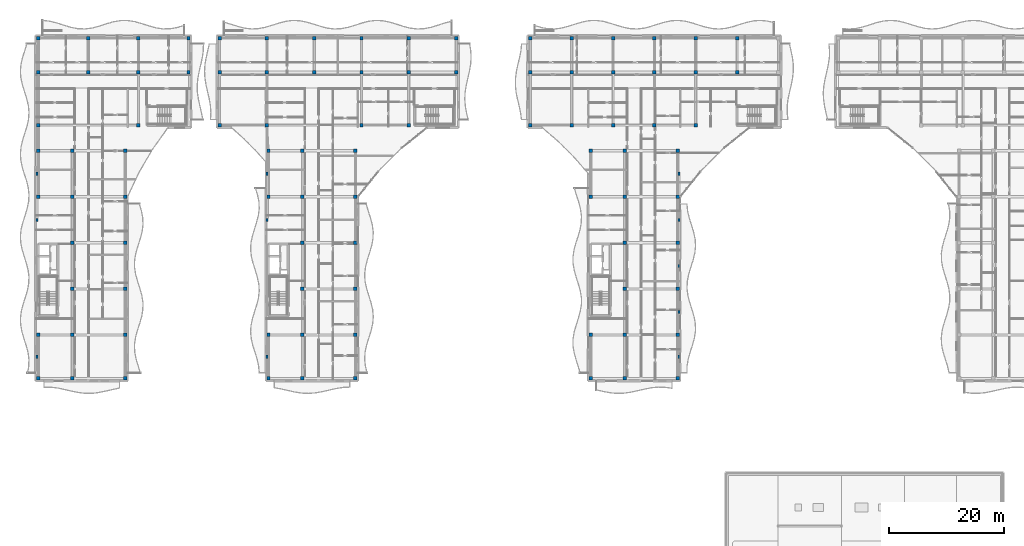
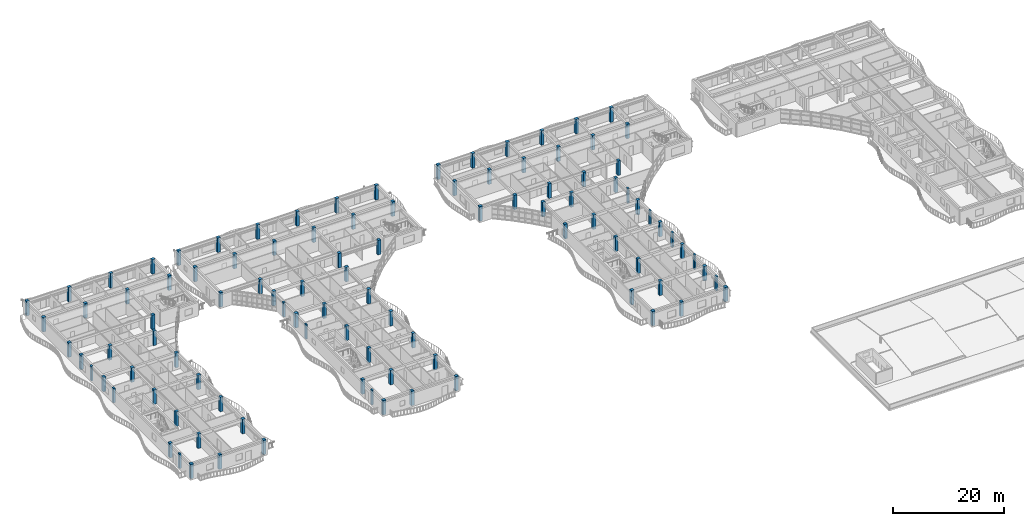
# One storey, part 1 of 79: 102 columns.
"""IFC4 building model written with IfcOpenShell, lengths in metres."""

from ifc_helpers import new_model, si_unit, direction, frame, origin, origin_2d, place, context, subcontext, project, spatial, rectangle, extrude, material, material_profile, profile_set, type_object, element, save


model = new_model("IFC4")

# Units and contexts
model_context = context("Model", 3, precision=1e-05, world=origin(), true_north=direction((0.0, 1.0)))
body_context = subcontext(model_context, "Body", "Model", "MODEL_VIEW")
ifc_project = project(units=[si_unit("LENGTHUNIT", "METRE"), si_unit("AREAUNIT", "SQUARE_METRE"), si_unit("VOLUMEUNIT", "CUBIC_METRE"), si_unit("PLANEANGLEUNIT", "RADIAN"), si_unit("MASSUNIT", "GRAM", prefix="KILO")], contexts=[model_context])

# Site, building, storey
site_placement = place(None, origin())
site = spatial("IfcSite", under=ifc_project, at=site_placement, CompositionType="ELEMENT")
building_placement = place(site_placement, origin())
building = spatial("IfcBuilding", under=site, at=building_placement, Name="Keldmere Railside Commons", CompositionType="ELEMENT")
storey_placement = place(building_placement, frame((0.0, 0.0, 10.56005859375)))
storey = spatial("IfcBuildingStorey", under=building, at=storey_placement, Name="L03", CompositionType="ELEMENT", Elevation=10.56005859375)

# Columns
ifc_material_1 = material(Name="Architectural Precast Concrete H-35 (C35/45)", Category="concrete")
ifc_material_profile_1 = material_profile(ifc_material_1, rectangle(XDim=0.35009765625, YDim=0.550048828125, at=origin_2d()), Name="RC-350x550")
ifc_profile_set_1 = profile_set([ifc_material_profile_1], Name="Architectural Precast Concrete H-35 (C35/45)")
column_type_1 = type_object("IfcColumnType", Name="Facade Precast Pilaster Column 350x550", PredefinedType="PILASTER", material=ifc_profile_set_1)
for number, where, z_axis, x_axis, name in (
    (1, (8.219970703125, 60.199951171875, 0.0), (0.0, 0.0, 1.0), (1.0, 0.0, 0.0), "C-PIL COL-L03-0013"),
    (2, (8.219970703125, 84.0, 0.0), (0.0, 0.0, 1.0), (1.0, 0.0, 0.0), "C-PIL COL-L03-0018"),
    (3, (8.219970703125, 92.0, 0.0), (0.0, 0.0, 1.0), (1.0, 0.0, 0.0), "C-PIL COL-L03-0023"),
    (4, (48.219970703125, 60.199951171875, 0.0), (0.0, 0.0, 1.0), (1.0, 0.0, 0.0), "C-PIL COL-L03-0420"),
    (5, (48.219970703125, 84.0, 0.0), (0.0, 0.0, 1.0), (1.0, 0.0, 0.0), "C-PIL COL-L03-0425"),
    (6, (48.219970703125, 92.0, 0.0), (0.0, 0.0, 1.0), (1.0, 0.0, 0.0), "C-PIL COL-L03-0430"),
    (7, (119.780029296875, 60.199951171875, 0.0), (0.0, 0.0, 1.0), (1.0, 0.0, 0.0), "C-PIL COL-L03-1208"),
    (8, (119.780029296875, 68.0, 0.0), (0.0, 0.0, 1.0), (1.0, 0.0, 0.0), "C-PIL COL-L03-1213"),
    (9, (119.780029296875, 76.0, 0.0), (0.0, 0.0, 1.0), (1.0, 0.0, 0.0), "C-PIL COL-L03-1218"),
    (10, (119.780029296875, 84.0, 0.0), (0.0, 0.0, 1.0), (1.0, 0.0, 0.0), "C-PIL COL-L03-1223"),
    (11, (119.780029296875, 92.0, 0.0), (0.0, 0.0, 1.0), (1.0, 0.0, 0.0), "C-PIL COL-L03-1228"),
):
    element("IfcColumn", number, at=place(storey_placement, frame(where, z_axis=z_axis, x_axis=x_axis)), inside=storey, type_object=column_type_1, Name=name, PredefinedType="PILASTER", context=body_context, shape_type="SweptSolid", body=[
        extrude(rectangle(XDim=0.35009765625, YDim=0.550048828125, at=origin_2d()), origin(), (0.0, 0.0, 1.0), 3.199951171875),
    ])
ifc_material_2 = material(Name="Concrete H-35 (C35/45)", Category="concrete")
ifc_material_profile_2 = material_profile(ifc_material_2, rectangle(XDim=0.60009765625, YDim=0.60009765625, at=origin_2d()), Name="RC-600x600")
ifc_profile_set_2 = profile_set([ifc_material_profile_2], Name="Concrete H-35 (C35/45)")
column_type_2 = type_object("IfcColumnType", Name="Mid-Rise RC Column 600x600", PredefinedType="COLUMN", material=ifc_profile_set_2)
for number, where, z_axis, x_axis, name in (
    (12, (8.449951171875, 56.449951171875, 0.0), (0.0, 0.0, 1.0), (1.0, 0.0, 0.0), "C-600 COL-L03-0043"),
    (13, (8.449951171875, 64.0, 0.0), (0.0, 0.0, 1.0), (1.0, 0.0, 0.0), "C-600 COL-L03-0049"),
    (14, (8.449951171875, 88.0, 0.0), (0.0, 0.0, 1.0), (1.0, 0.0, 0.0), "C-600 COL-L03-0057"),
    (15, (8.449951171875, 96.0, 0.0), (0.0, 0.0, 1.0), (1.0, 0.0, 0.0), "C-600 COL-L03-0066"),
    (16, (8.449951171875, 100.449951171875, 0.0), (0.0, 0.0, 1.0), (1.0, 0.0, 0.0), "C-600 COL-L03-0075"),
    (17, (8.449951171875, 109.64990234375, 0.0), (0.0, 0.0, 1.0), (1.0, 0.0, 0.0), "C-600 COL-L03-0085"),
    (18, (8.449951171875, 115.550048828125, 0.0), (0.0, 0.0, 1.0), (1.0, 0.0, 0.0), "C-600 COL-L03-0094"),
    (19, (14.35009765625, 56.449951171875, 0.0), (0.0, 0.0, 1.0), (1.0, 0.0, 0.0), "C-600 COL-L03-0101"),
    (20, (14.35009765625, 64.0, 0.0), (0.0, 0.0, 1.0), (1.0, 0.0, 0.0), "C-600 COL-L03-0107"),
    (21, (14.35009765625, 72.0, 0.0), (0.0, 0.0, 1.0), (1.0, 0.0, 0.0), "C-600 COL-L03-0115"),
    (22, (14.35009765625, 80.0, 0.0), (0.0, 0.0, 1.0), (1.0, 0.0, 0.0), "C-600 COL-L03-0124"),
    (23, (14.35009765625, 88.0, 0.0), (0.0, 0.0, 1.0), (1.0, 0.0, 0.0), "C-600 COL-L03-0133"),
    (24, (14.35009765625, 96.0, 0.0), (0.0, 0.0, 1.0), (1.0, 0.0, 0.0), "C-600 COL-L03-0142"),
    (25, (17.14990234375, 109.64990234375, 0.0), (0.0, 0.0, 1.0), (1.0, 0.0, 0.0), "C-600 COL-L03-0169"),
    (26, (17.14990234375, 115.550048828125, 0.0), (0.0, 0.0, 1.0), (1.0, 0.0, 0.0), "C-600 COL-L03-0178"),
    (27, (23.550048828125, 56.449951171875, 0.0), (0.0, 0.0, 1.0), (1.0, 0.0, 0.0), "C-600 COL-L03-0188"),
    (28, (23.550048828125, 64.0, 0.0), (0.0, 0.0, 1.0), (1.0, 0.0, 0.0), "C-600 COL-L03-0194"),
    (29, (23.550048828125, 72.0, 0.0), (0.0, 0.0, 1.0), (1.0, 0.0, 0.0), "C-600 COL-L03-0202"),
    (30, (23.550048828125, 80.0, 0.0), (0.0, 0.0, 1.0), (1.0, 0.0, 0.0), "C-600 COL-L03-0211"),
    (31, (23.550048828125, 88.0, 0.0), (0.0, 0.0, 1.0), (1.0, 0.0, 0.0), "C-600 COL-L03-0220"),
    (32, (23.550048828125, 96.0, 0.0), (0.0, 0.0, 1.0), (1.0, 0.0, 0.0), "C-600 COL-L03-0229"),
    (33, (25.85009765625, 100.449951171875, 0.0), (0.0, 0.0, 1.0), (1.0, 0.0, 0.0), "C-600 COL-L03-0250"),
    (34, (25.85009765625, 109.64990234375, 0.0), (0.0, 0.0, 1.0), (1.0, 0.0, 0.0), "C-600 COL-L03-0260"),
    (35, (25.85009765625, 115.550048828125, 0.0), (0.0, 0.0, 1.0), (1.0, 0.0, 0.0), "C-600 COL-L03-0269"),
    (36, (34.550048828125, 109.64990234375, 0.0), (0.0, 0.0, 1.0), (1.0, 0.0, 0.0), "C-600 COL-L03-0304"),
    (37, (34.550048828125, 115.550048828125, 0.0), (0.0, 0.0, 1.0), (1.0, 0.0, 0.0), "C-600 COL-L03-0313"),
    (38, (39.949951171875, 100.449951171875, 0.0), (0.0, 0.0, 1.0), (1.0, 0.0, 0.0), "C-600 COL-L03-0339"),
    (39, (39.949951171875, 109.64990234375, 0.0), (0.0, 0.0, 1.0), (1.0, 0.0, 0.0), "C-600 COL-L03-0351"),
    (40, (39.949951171875, 115.550048828125, 0.0), (0.0, 0.0, 1.0), (1.0, 0.0, 0.0), "C-600 COL-L03-0362"),
    (41, (48.169921875, 100.449951171875, 0.0), (0.0, 0.0, 1.0), (1.0, 0.0, 0.0), "C-600 COL-L03-0389"),
    (42, (48.169921875, 109.64990234375, 0.0), (0.0, 0.0, 1.0), (1.0, 0.0, 0.0), "C-600 COL-L03-0401"),
    (43, (48.169921875, 115.550048828125, 0.0), (0.0, 0.0, 1.0), (1.0, 0.0, 0.0), "C-600 COL-L03-0412"),
    (44, (48.449951171875, 56.449951171875, 0.0), (0.0, 0.0, 1.0), (1.0, 0.0, 0.0), "C-600 COL-L03-0435"),
    (45, (48.449951171875, 64.0, 0.0), (0.0, 0.0, 1.0), (1.0, 0.0, 0.0), "C-600 COL-L03-0442"),
    (46, (48.449951171875, 88.0, 0.0), (0.0, 0.0, 1.0), (1.0, 0.0, 0.0), "C-600 COL-L03-0452"),
    (47, (48.449951171875, 96.0, 0.0), (0.0, 0.0, 1.0), (1.0, 0.0, 0.0), "C-600 COL-L03-0463"),
    (48, (54.35009765625, 56.449951171875, 0.0), (0.0, 0.0, 1.0), (1.0, 0.0, 0.0), "C-600 COL-L03-0481"),
    (49, (54.35009765625, 64.0, 0.0), (0.0, 0.0, 1.0), (1.0, 0.0, 0.0), "C-600 COL-L03-0488"),
    (50, (54.35009765625, 72.0, 0.0), (0.0, 0.0, 1.0), (1.0, 0.0, 0.0), "C-600 COL-L03-0498"),
    (51, (54.35009765625, 80.0, 0.0), (0.0, 0.0, 1.0), (1.0, 0.0, 0.0), "C-600 COL-L03-0509"),
    (52, (54.35009765625, 88.0, 0.0), (0.0, 0.0, 1.0), (1.0, 0.0, 0.0), "C-600 COL-L03-0520"),
    (53, (54.35009765625, 96.0, 0.0), (0.0, 0.0, 1.0), (1.0, 0.0, 0.0), "C-600 COL-L03-0531"),
    (54, (56.389892578125, 109.64990234375, 0.0), (0.0, 0.0, 1.0), (1.0, 0.0, 0.0), "C-600 COL-L03-0543"),
    (55, (56.389892578125, 115.550048828125, 0.0), (0.0, 0.0, 1.0), (1.0, 0.0, 0.0), "C-600 COL-L03-0554"),
    (56, (63.550048828125, 56.449951171875, 0.0), (0.0, 0.0, 1.0), (1.0, 0.0, 0.0), "C-600 COL-L03-0567"),
    (57, (63.550048828125, 64.0, 0.0), (0.0, 0.0, 1.0), (1.0, 0.0, 0.0), "C-600 COL-L03-0574"),
    (58, (63.550048828125, 72.0, 0.0), (0.0, 0.0, 1.0), (1.0, 0.0, 0.0), "C-600 COL-L03-0584"),
    (59, (63.550048828125, 80.0, 0.0), (0.0, 0.0, 1.0), (1.0, 0.0, 0.0), "C-600 COL-L03-0595"),
    (60, (63.550048828125, 88.0, 0.0), (0.0, 0.0, 1.0), (1.0, 0.0, 0.0), "C-600 COL-L03-0606"),
    (61, (63.550048828125, 96.0, 0.0), (0.0, 0.0, 1.0), (1.0, 0.0, 0.0), "C-600 COL-L03-0617"),
    (62, (64.610107421875, 100.449951171875, 0.0), (0.0, 0.0, 1.0), (1.0, 0.0, 0.0), "C-600 COL-L03-0643"),
    (63, (64.610107421875, 109.64990234375, 0.0), (0.0, 0.0, 1.0), (1.0, 0.0, 0.0), "C-600 COL-L03-0655"),
    (64, (64.610107421875, 115.550048828125, 0.0), (0.0, 0.0, 1.0), (1.0, 0.0, 0.0), "C-600 COL-L03-0666"),
    (65, (72.830078125, 100.449951171875, 0.0), (0.0, 0.0, 1.0), (1.0, 0.0, 0.0), "C-600 COL-L03-0688"),
    (66, (72.830078125, 109.64990234375, 0.0), (0.0, 0.0, 1.0), (1.0, 0.0, 0.0), "C-600 COL-L03-0700"),
    (67, (72.830078125, 115.550048828125, 0.0), (0.0, 0.0, 1.0), (1.0, 0.0, 0.0), "C-600 COL-L03-0711"),
    (68, (81.050048828125, 109.64990234375, 0.0), (0.0, 0.0, 1.0), (1.0, 0.0, 0.0), "C-600 COL-L03-0753"),
    (69, (81.050048828125, 115.550048828125, 0.0), (0.0, 0.0, 1.0), (1.0, 0.0, 0.0), "C-600 COL-L03-0764"),
    (70, (93.949951171875, 100.449951171875, 0.0), (0.0, 0.0, 1.0), (1.0, 0.0, 0.0), "C-600 COL-L03-0813"),
    (71, (93.949951171875, 109.64990234375, 0.0), (0.0, 0.0, 1.0), (1.0, 0.0, 0.0), "C-600 COL-L03-0827"),
    (72, (93.949951171875, 115.550048828125, 0.0), (0.0, 0.0, 1.0), (1.0, 0.0, 0.0), "C-600 COL-L03-0840"),
    (73, (101.133056640625, 100.449951171875, 0.0), (0.0, 0.0, 1.0), (1.0, 0.0, 0.0), "C-600 COL-L03-0882"),
    (74, (101.133056640625, 109.64990234375, 0.0), (0.0, 0.0, 1.0), (1.0, 0.0, 0.0), "C-600 COL-L03-0896"),
    (75, (101.133056640625, 115.550048828125, 0.0), (0.0, 0.0, 1.0), (1.0, 0.0, 0.0), "C-600 COL-L03-0909"),
    (76, (104.449951171875, 56.449951171875, 0.0), (0.0, 0.0, 1.0), (1.0, 0.0, 0.0), "C-600 COL-L03-0924"),
    (77, (104.449951171875, 64.0, 0.0), (0.0, 0.0, 1.0), (1.0, 0.0, 0.0), "C-600 COL-L03-0933"),
    (78, (104.449951171875, 88.0, 0.0), (0.0, 0.0, 1.0), (1.0, 0.0, 0.0), "C-600 COL-L03-0945"),
    (79, (104.449951171875, 96.0, 0.0), (0.0, 0.0, 1.0), (1.0, 0.0, 0.0), "C-600 COL-L03-0958"),
    (80, (108.31689453125, 100.449951171875, 0.0), (0.0, 0.0, 1.0), (1.0, 0.0, 0.0), "C-600 COL-L03-0982"),
    (81, (108.31689453125, 109.64990234375, 0.0), (0.0, 0.0, 1.0), (1.0, 0.0, 0.0), "C-600 COL-L03-0996"),
    (82, (108.31689453125, 115.550048828125, 0.0), (0.0, 0.0, 1.0), (1.0, 0.0, 0.0), "C-600 COL-L03-1009"),
    (83, (110.35009765625, 56.449951171875, 0.0), (0.0, 0.0, 1.0), (1.0, 0.0, 0.0), "C-600 COL-L03-1018"),
    (84, (110.35009765625, 64.0, 0.0), (0.0, 0.0, 1.0), (1.0, 0.0, 0.0), "C-600 COL-L03-1027"),
    (85, (110.35009765625, 72.0, 0.0), (0.0, 0.0, 1.0), (1.0, 0.0, 0.0), "C-600 COL-L03-1039"),
    (86, (110.35009765625, 80.0, 0.0), (0.0, 0.0, 1.0), (1.0, 0.0, 0.0), "C-600 COL-L03-1052"),
    (87, (110.35009765625, 88.0, 0.0), (0.0, 0.0, 1.0), (1.0, 0.0, 0.0), "C-600 COL-L03-1065"),
    (88, (110.35009765625, 96.0, 0.0), (0.0, 0.0, 1.0), (1.0, 0.0, 0.0), "C-600 COL-L03-1078"),
    (89, (115.5, 100.449951171875, 0.0), (0.0, 0.0, 1.0), (1.0, 0.0, 0.0), "C-600 COL-L03-1099"),
    (90, (115.5, 109.64990234375, 0.0), (0.0, 0.0, 1.0), (1.0, 0.0, 0.0), "C-600 COL-L03-1113"),
    (91, (115.5, 115.550048828125, 0.0), (0.0, 0.0, 1.0), (1.0, 0.0, 0.0), "C-600 COL-L03-1126"),
    (92, (119.550048828125, 56.449951171875, 0.0), (0.0, 0.0, 1.0), (1.0, 0.0, 0.0), "C-600 COL-L03-1135"),
    (93, (119.550048828125, 64.0, 0.0), (0.0, 0.0, 1.0), (1.0, 0.0, 0.0), "C-600 COL-L03-1144"),
    (94, (119.550048828125, 72.0, 0.0), (0.0, 0.0, 1.0), (1.0, 0.0, 0.0), "C-600 COL-L03-1156"),
    (95, (119.550048828125, 80.0, 0.0), (0.0, 0.0, 1.0), (1.0, 0.0, 0.0), "C-600 COL-L03-1169"),
    (96, (119.550048828125, 88.0, 0.0), (0.0, 0.0, 1.0), (1.0, 0.0, 0.0), "C-600 COL-L03-1182"),
    (97, (119.550048828125, 96.0, 0.0), (0.0, 0.0, 1.0), (1.0, 0.0, 0.0), "C-600 COL-L03-1195"),
    (98, (122.68310546875, 100.449951171875, 0.0), (0.0, 0.0, 1.0), (1.0, 0.0, 0.0), "C-600 COL-L03-1237"),
    (99, (122.68310546875, 109.64990234375, 0.0), (0.0, 0.0, 1.0), (1.0, 0.0, 0.0), "C-600 COL-L03-1251"),
    (100, (122.68310546875, 115.550048828125, 0.0), (0.0, 0.0, 1.0), (1.0, 0.0, 0.0), "C-600 COL-L03-1264"),
    (101, (129.866943359375, 109.64990234375, 0.0), (0.0, 0.0, 1.0), (1.0, 0.0, 0.0), "C-600 COL-L03-1296"),
    (102, (129.866943359375, 115.550048828125, 0.0), (0.0, 0.0, 1.0), (1.0, 0.0, 0.0), "C-600 COL-L03-1309"),
):
    element("IfcColumn", number, at=place(storey_placement, frame(where, z_axis=z_axis, x_axis=x_axis)), inside=storey, type_object=column_type_2, Name=name, PredefinedType="COLUMN", context=body_context, shape_type="SweptSolid", body=[
        extrude(rectangle(XDim=0.60009765625, YDim=0.60009765625, at=origin_2d()), origin(), (0.0, 0.0, 1.0), 3.199951171875),
    ])

save(model, "model.ifc")
